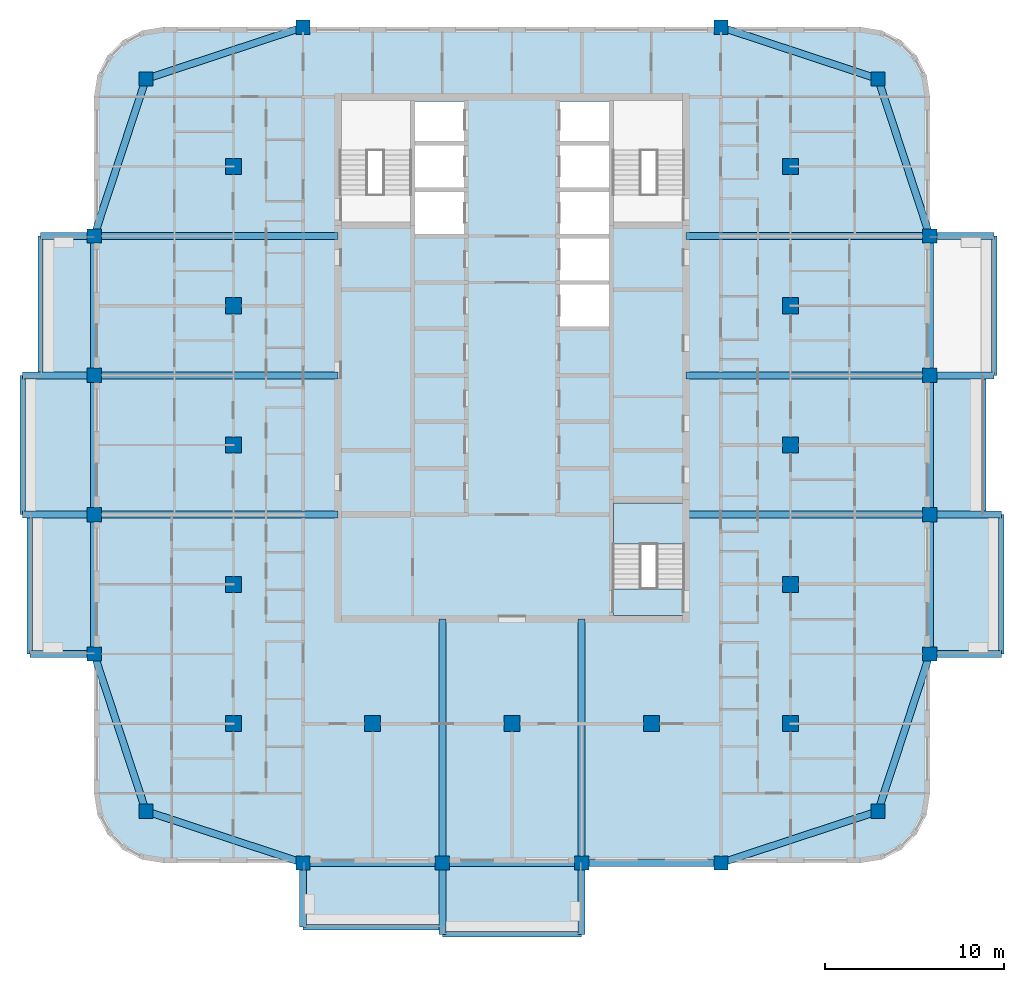
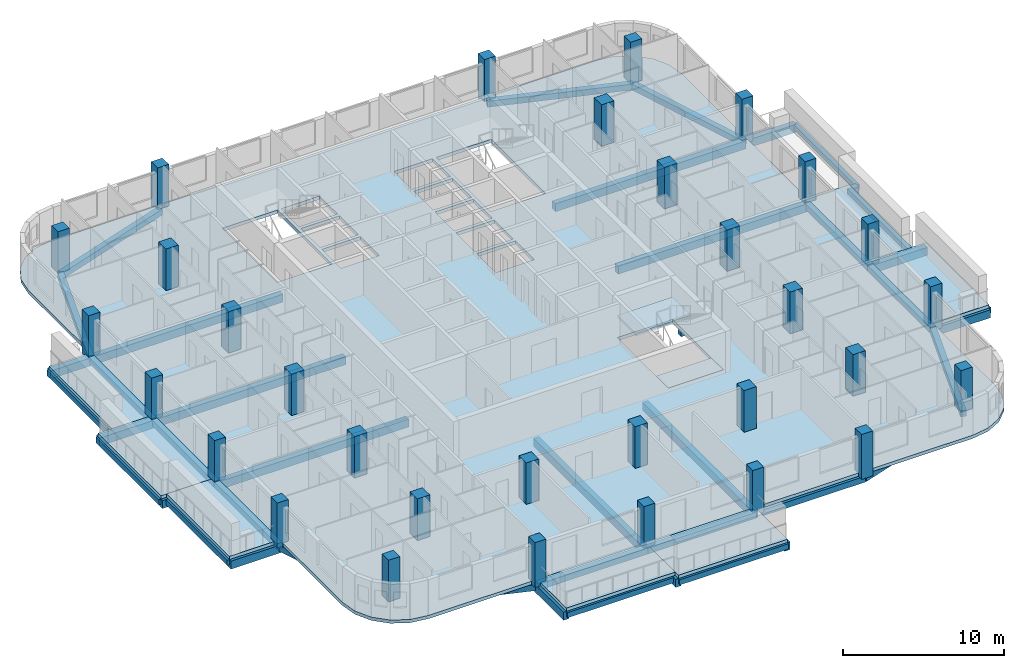
# One storey, part 1 of 16: 44 beams, 31 columns, 10 slabs, 1 element without a shape of its own.
"""IFC4 building model written with IfcOpenShell, lengths in metres."""

from ifc_helpers import new_model, si_unit, direction, frame, origin, origin_2d, place, context, subcontext, project, spatial, polyline, rectangle, outline, extrude, material, layer, layer_set, material_profile, profile_set, type_object, element, aggregate, save


model = new_model("IFC4")

# Units and contexts
model_context = context("Model", 3, precision=1e-05, world=origin(), true_north=direction((0.0, 1.0)))
body_context = subcontext(model_context, "Body", "Model", "MODEL_VIEW")
ifc_project = project(units=[si_unit("LENGTHUNIT", "METRE"), si_unit("AREAUNIT", "SQUARE_METRE"), si_unit("VOLUMEUNIT", "CUBIC_METRE"), si_unit("PLANEANGLEUNIT", "RADIAN"), si_unit("MASSUNIT", "GRAM", prefix="KILO")], contexts=[model_context])

# Site, building, storey
site_placement = place(None, origin())
site = spatial("IfcSite", under=ifc_project, at=site_placement, CompositionType="ELEMENT")
building_placement = place(site_placement, origin())
building = spatial("IfcBuilding", under=site, at=building_placement, Name="Ludao Terraces", CompositionType="ELEMENT")
storey_placement = place(building_placement, frame((0.0, 0.0, 217.699951171875)))
storey = spatial("IfcBuildingStorey", under=building, at=storey_placement, Name="L59", CompositionType="ELEMENT", Elevation=217.699951171875)

# Columns
ifc_material_1 = material(Name="Concrete C50", Category="concrete")
ifc_material_profile_1 = material_profile(ifc_material_1, rectangle(XDim=0.800048828125, YDim=0.800048828125, at=origin_2d()), Name="800 X 800")
ifc_profile_set_1 = profile_set([ifc_material_profile_1], Name="Concrete C50")
column_type_1 = type_object("IfcColumnType", Name="RC column 800x800 C50", PredefinedType="COLUMN", material=ifc_profile_set_1)
for number, where, z_axis, x_axis, name in (
    (1, (64.5, 44.5, -0.25), (0.0, 0.0, 1.0), (1.0, 0.0, 0.0), "Column L59 C0029x0029"),
    (2, (105.5, 44.5, -0.25), (0.0, 0.0, 1.0), (1.0, 0.0, 0.0), "Column L59 C0439x0029"),
    (3, (64.5, 85.5, -0.25), (0.0, 0.0, 1.0), (1.0, 0.0, 0.0), "Column L59 C0029x0439"),
    (4, (105.5, 85.5, -0.25), (0.0, 0.0, 1.0), (1.0, 0.0, 0.0), "Column L59 C0439x0439"),
    (5, (61.60009765625, 53.300048828125, -0.25), (0.0, 0.0, 1.0), (1.0, 0.0, 0.0), "Column L59 F0000x0117"),
    (6, (108.39990234375, 53.300048828125, -0.25), (0.0, 0.0, 1.0), (1.0, 0.0, 0.0), "Column L59 F0468x0117"),
    (7, (73.300048828125, 41.60009765625, -0.25), (0.0, 0.0, 1.0), (1.0, 0.0, 0.0), "Column L59 F0117x0000"),
    (8, (73.300048828125, 88.39990234375, -0.25), (0.0, 0.0, 1.0), (1.0, 0.0, 0.0), "Column L59 F0117x0468"),
    (9, (61.60009765625, 61.10009765625, -0.25), (0.0, 0.0, 1.0), (1.0, 0.0, 0.0), "Column L59 F0000x0195"),
    (10, (108.39990234375, 61.10009765625, -0.25), (0.0, 0.0, 1.0), (1.0, 0.0, 0.0), "Column L59 F0468x0195"),
    (11, (81.10009765625, 41.60009765625, -0.25), (0.0, 0.0, 1.0), (1.0, 0.0, 0.0), "Column L59 F0195x0000"),
    (12, (61.60009765625, 68.89990234375, -0.25), (0.0, 0.0, 1.0), (1.0, 0.0, 0.0), "Column L59 F0000x0273"),
    (13, (108.39990234375, 68.89990234375, -0.25), (0.0, 0.0, 1.0), (1.0, 0.0, 0.0), "Column L59 F0468x0273"),
    (14, (88.89990234375, 41.60009765625, -0.25), (0.0, 0.0, 1.0), (1.0, 0.0, 0.0), "Column L59 F0273x0000"),
    (15, (61.60009765625, 76.699951171875, -0.25), (0.0, 0.0, 1.0), (1.0, 0.0, 0.0), "Column L59 F0000x0351"),
    (16, (108.39990234375, 76.699951171875, -0.25), (0.0, 0.0, 1.0), (1.0, 0.0, 0.0), "Column L59 F0468x0351"),
    (17, (96.699951171875, 41.60009765625, -0.25), (0.0, 0.0, 1.0), (1.0, 0.0, 0.0), "Column L59 F0351x0000"),
    (18, (96.699951171875, 88.39990234375, -0.25), (0.0, 0.0, 1.0), (1.0, 0.0, 0.0), "Column L59 F0351x0468"),
):
    element("IfcColumn", number, at=place(storey_placement, frame(where, z_axis=z_axis, x_axis=x_axis)), inside=storey, type_object=column_type_1, Name=name, PredefinedType="COLUMN", context=body_context, shape_type="SweptSolid", body=[
        extrude(rectangle(XDim=0.800048828125, YDim=0.800048828125, at=origin_2d()), origin(), (0.0, 0.0, 1.0), 3.400146484375),
    ])
ifc_material_profile_2 = material_profile(ifc_material_1, rectangle(XDim=0.89990234375, YDim=0.89990234375, at=origin_2d()), Name="900 X 900")
ifc_profile_set_2 = profile_set([ifc_material_profile_2], Name="Concrete C50")
column_type_2 = type_object("IfcColumnType", Name="RC column 900x900 C50", PredefinedType="COLUMN", material=ifc_profile_set_2)
for number, where, z_axis, x_axis, name in (
    (19, (69.39990234375, 49.39990234375, -0.25), (0.0, 0.0, 1.0), (1.0, 0.0, 0.0), "Column L59 S0078x0078"),
    (20, (69.39990234375, 57.199951171875, -0.25), (0.0, 0.0, 1.0), (1.0, 0.0, 0.0), "Column L59 S0078x0156"),
    (21, (69.39990234375, 65.0, -0.25), (0.0, 0.0, 1.0), (1.0, 0.0, 0.0), "Column L59 S0078x0234"),
    (22, (69.39990234375, 72.800048828125, -0.25), (0.0, 0.0, 1.0), (1.0, 0.0, 0.0), "Column L59 S0078x0312"),
    (23, (69.39990234375, 80.60009765625, -0.25), (0.0, 0.0, 1.0), (1.0, 0.0, 0.0), "Column L59 S0078x0390"),
    (24, (77.199951171875, 49.39990234375, -0.25), (0.0, 0.0, 1.0), (1.0, 0.0, 0.0), "Column L59 S0156x0078"),
    (25, (85.0, 49.39990234375, -0.25), (0.0, 0.0, 1.0), (1.0, 0.0, 0.0), "Column L59 S0234x0078"),
    (26, (92.800048828125, 49.39990234375, -0.25), (0.0, 0.0, 1.0), (1.0, 0.0, 0.0), "Column L59 S0312x0078"),
    (27, (100.60009765625, 49.39990234375, -0.25), (0.0, 0.0, 1.0), (1.0, 0.0, 0.0), "Column L59 S0390x0078"),
    (28, (100.60009765625, 57.199951171875, -0.25), (0.0, 0.0, 1.0), (1.0, 0.0, 0.0), "Column L59 S0390x0156"),
    (29, (100.60009765625, 65.0, -0.25), (0.0, 0.0, 1.0), (1.0, 0.0, 0.0), "Column L59 S0390x0234"),
    (30, (100.60009765625, 72.800048828125, -0.25), (0.0, 0.0, 1.0), (1.0, 0.0, 0.0), "Column L59 S0390x0312"),
    (31, (100.60009765625, 80.60009765625, -0.25), (0.0, 0.0, 1.0), (1.0, 0.0, 0.0), "Column L59 S0390x0390"),
):
    element("IfcColumn", number, at=place(storey_placement, frame(where, z_axis=z_axis, x_axis=x_axis)), inside=storey, type_object=column_type_2, Name=name, PredefinedType="COLUMN", context=body_context, shape_type="SweptSolid", body=[
        extrude(rectangle(XDim=0.89990234375, YDim=0.89990234375, at=origin_2d()), origin(), (0.0, 0.0, 1.0), 3.400146484375),
    ])

# Beams
ifc_material_2 = material(Name="Concrete C40", Category="concrete")
ifc_material_profile_3 = material_profile(ifc_material_2, rectangle(XDim=0.300048828125, YDim=0.39990234375, at=origin_2d()), Name="300 X 400")
ifc_profile_set_3 = profile_set([ifc_material_profile_3], Name="Concrete C40")
beam_type_1 = type_object("IfcBeamType", Name="RC beam 300x400 C40", PredefinedType="BEAM", material=ifc_profile_set_3)
beam_1_placement = place(storey_placement, frame((73.300048828125, 38.0, -0.449951171875), z_axis=(1.0, 0.0, 0.0), x_axis=(0.0, 1.0, 0.0)))
element("IfcBeam", 32, at=beam_1_placement, inside=storey, type_object=beam_type_1, Name="Balcony edge beam L59 S1", PredefinedType="BEAM", context=body_context, shape_type="SweptSolid", body=[
    extrude(rectangle(XDim=0.300048828125, YDim=0.39990234375, at=origin_2d()), origin(), (0.0, 0.0, 1.0), 7.800048828125),
])
beam_2_placement = place(storey_placement, frame((81.10009765625, 37.60009765625, -0.449951171875), z_axis=(1.0, 0.0, 0.0), x_axis=(0.0, 1.0, 0.0)))
element("IfcBeam", 33, at=beam_2_placement, inside=storey, type_object=beam_type_1, Name="Balcony edge beam L59 S2", PredefinedType="BEAM", context=body_context, shape_type="SweptSolid", body=[
    extrude(rectangle(XDim=0.300048828125, YDim=0.39990234375, at=origin_2d()), origin(), (0.0, 0.0, 1.0), 7.7998046875),
])
beam_3_placement = place(storey_placement, frame((112.39990234375, 53.300048828125, -0.449951171875), z_axis=(0.0, 1.0, 0.0), x_axis=(-1.0, 0.0, 0.0)))
element("IfcBeam", 34, at=beam_3_placement, inside=storey, type_object=beam_type_1, Name="Balcony edge beam L59 E1", PredefinedType="BEAM", context=body_context, shape_type="SweptSolid", body=[
    extrude(rectangle(XDim=0.300048828125, YDim=0.39990234375, at=origin_2d()), origin(), (0.0, 0.0, 1.0), 7.800048828125),
])
beam_4_placement = place(storey_placement, frame((111.39990234375, 61.10009765625, -0.449951171875), z_axis=(0.0, 1.0, 0.0), x_axis=(-1.0, 0.0, 0.0)))
element("IfcBeam", 35, at=beam_4_placement, inside=storey, type_object=beam_type_1, Name="Balcony edge beam L59 E2", PredefinedType="BEAM", context=body_context, shape_type="SweptSolid", body=[
    extrude(rectangle(XDim=0.300048828125, YDim=0.39990234375, at=origin_2d()), origin(), (0.0, 0.0, 1.0), 7.7998046875),
])
for number, where, z_axis, x_axis, name in (
    (36, (112.0, 68.89990234375, -0.449951171875), (0.0, 1.0, 0.0), (-1.0, 0.0, 0.0), "Balcony edge beam L59 E3"),
    (37, (58.0, 53.300048828125, -0.449951171875), (0.0, 1.0, 0.0), (-1.0, 0.0, 0.0), "Balcony edge beam L59 W1"),
):
    element("IfcBeam", number, at=place(storey_placement, frame(where, z_axis=z_axis, x_axis=x_axis)), inside=storey, type_object=beam_type_1, Name=name, PredefinedType="BEAM", context=body_context, shape_type="SweptSolid", body=[
        extrude(rectangle(XDim=0.300048828125, YDim=0.39990234375, at=origin_2d()), origin(), (0.0, 0.0, 1.0), 7.800048828125),
    ])
beam_5_placement = place(storey_placement, frame((57.60009765625, 61.10009765625, -0.449951171875), z_axis=(0.0, 1.0, 0.0), x_axis=(-1.0, 0.0, 0.0)))
element("IfcBeam", 38, at=beam_5_placement, inside=storey, type_object=beam_type_1, Name="Balcony edge beam L59 W2", PredefinedType="BEAM", context=body_context, shape_type="SweptSolid", body=[
    extrude(rectangle(XDim=0.300048828125, YDim=0.39990234375, at=origin_2d()), origin(), (0.0, 0.0, 1.0), 7.7998046875),
])
beam_6_placement = place(storey_placement, frame((58.60009765625, 68.89990234375, -0.449951171875), z_axis=(0.0, 1.0, 0.0), x_axis=(-1.0, 0.0, 0.0)))
element("IfcBeam", 39, at=beam_6_placement, inside=storey, type_object=beam_type_1, Name="Balcony edge beam L59 W3", PredefinedType="BEAM", context=body_context, shape_type="SweptSolid", body=[
    extrude(rectangle(XDim=0.300048828125, YDim=0.39990234375, at=origin_2d()), origin(), (0.0, 0.0, 1.0), 7.800048828125),
])
ifc_material_profile_4 = material_profile(ifc_material_2, rectangle(XDim=0.39990234375, YDim=0.449951171875, at=origin_2d()), Name="400 X 450")
ifc_profile_set_4 = profile_set([ifc_material_profile_4], Name="Concrete C40")
beam_type_2 = type_object("IfcBeamType", Name="RC beam 400x450 C40", PredefinedType="BEAM", material=ifc_profile_set_4)
beam_7_placement = place(storey_placement, frame((64.5, 44.5, -0.474853515625), z_axis=(0.949760691408, -0.312977042379, 0.0), x_axis=(0.312977042379, 0.949760691408, 0.0)))
element("IfcBeam", 40, at=beam_7_placement, inside=storey, type_object=beam_type_2, Name="Spandrel beam L59 S1", PredefinedType="BEAM", context=body_context, shape_type="SweptSolid", body=[
    extrude(rectangle(XDim=0.39990234375, YDim=0.449951171875, at=origin_2d()), origin(), (0.0, 0.0, 1.0), 9.265625),
])
beam_8_placement = place(storey_placement, frame((73.300048828125, 41.60009765625, -0.474853515625), z_axis=(1.0, 0.0, 0.0), x_axis=(0.0, 1.0, 0.0)))
element("IfcBeam", 41, at=beam_8_placement, inside=storey, type_object=beam_type_2, Name="Spandrel beam L59 S2", PredefinedType="BEAM", context=body_context, shape_type="SweptSolid", body=[
    extrude(rectangle(XDim=0.39990234375, YDim=0.449951171875, at=origin_2d()), origin(), (0.0, 0.0, 1.0), 7.800048828125),
])
beam_9_placement = place(storey_placement, frame((81.10009765625, 41.60009765625, -0.474853515625), z_axis=(1.0, 0.0, 0.0), x_axis=(0.0, 1.0, 0.0)))
element("IfcBeam", 42, at=beam_9_placement, inside=storey, type_object=beam_type_2, Name="Spandrel beam L59 S3", PredefinedType="BEAM", context=body_context, shape_type="SweptSolid", body=[
    extrude(rectangle(XDim=0.39990234375, YDim=0.449951171875, at=origin_2d()), origin(), (0.0, 0.0, 1.0), 7.7998046875),
])
beam_10_placement = place(storey_placement, frame((88.89990234375, 41.60009765625, -0.474853515625), z_axis=(1.0, 0.0, 0.0), x_axis=(0.0, 1.0, 0.0)))
element("IfcBeam", 43, at=beam_10_placement, inside=storey, type_object=beam_type_2, Name="Spandrel beam L59 S4", PredefinedType="BEAM", context=body_context, shape_type="SweptSolid", body=[
    extrude(rectangle(XDim=0.39990234375, YDim=0.449951171875, at=origin_2d()), origin(), (0.0, 0.0, 1.0), 7.800048828125),
])
for number, where, z_axis, x_axis, name in (
    (44, (96.699951171875, 41.60009765625, -0.474853515625), (0.949760691408, 0.312977042379, 0.0), (-0.312977042379, 0.949760691408, 0.0), "Spandrel beam L59 S5"),
    (45, (64.5, 85.5, -0.474853515625), (0.949760691408, 0.312977042379, 0.0), (-0.312977042379, 0.949760691408, 0.0), "Spandrel beam L59 N6"),
    (46, (96.699951171875, 88.39990234375, -0.474853515625), (0.949760691408, -0.312977042379, 0.0), (0.312977042379, 0.949760691408, 0.0), "Spandrel beam L59 N7"),
    (47, (64.5, 44.5, -0.474853515625), (-0.312977042379, 0.949760691408, 0.0), (-0.949760691408, -0.312977042379, 0.0), "Spandrel beam L59 W8"),
):
    element("IfcBeam", number, at=place(storey_placement, frame(where, z_axis=z_axis, x_axis=x_axis)), inside=storey, type_object=beam_type_2, Name=name, PredefinedType="BEAM", context=body_context, shape_type="SweptSolid", body=[
        extrude(rectangle(XDim=0.39990234375, YDim=0.449951171875, at=origin_2d()), origin(), (0.0, 0.0, 1.0), 9.265625),
    ])
beam_11_placement = place(storey_placement, frame((61.60009765625, 53.300048828125, -0.474853515625), z_axis=(0.0, 1.0, 0.0), x_axis=(-1.0, 0.0, 0.0)))
element("IfcBeam", 48, at=beam_11_placement, inside=storey, type_object=beam_type_2, Name="Spandrel beam L59 W9", PredefinedType="BEAM", context=body_context, shape_type="SweptSolid", body=[
    extrude(rectangle(XDim=0.39990234375, YDim=0.449951171875, at=origin_2d()), origin(), (0.0, 0.0, 1.0), 7.800048828125),
])
beam_12_placement = place(storey_placement, frame((61.60009765625, 61.10009765625, -0.474853515625), z_axis=(0.0, 1.0, 0.0), x_axis=(-1.0, 0.0, 0.0)))
element("IfcBeam", 49, at=beam_12_placement, inside=storey, type_object=beam_type_2, Name="Spandrel beam L59 W10", PredefinedType="BEAM", context=body_context, shape_type="SweptSolid", body=[
    extrude(rectangle(XDim=0.39990234375, YDim=0.449951171875, at=origin_2d()), origin(), (0.0, 0.0, 1.0), 7.7998046875),
])
beam_13_placement = place(storey_placement, frame((61.60009765625, 68.89990234375, -0.474853515625), z_axis=(0.0, 1.0, 0.0), x_axis=(-1.0, 0.0, 0.0)))
element("IfcBeam", 50, at=beam_13_placement, inside=storey, type_object=beam_type_2, Name="Spandrel beam L59 W11", PredefinedType="BEAM", context=body_context, shape_type="SweptSolid", body=[
    extrude(rectangle(XDim=0.39990234375, YDim=0.449951171875, at=origin_2d()), origin(), (0.0, 0.0, 1.0), 7.800048828125),
])
for number, where, z_axis, x_axis, name in (
    (51, (61.60009765625, 76.699951171875, -0.474853515625), (0.312977042379, 0.949760691408, 0.0), (-0.949760691408, 0.312977042379, 0.0), "Spandrel beam L59 W12"),
    (52, (105.5, 44.5, -0.474853515625), (0.312977042379, 0.949760691408, 0.0), (-0.949760691408, 0.312977042379, 0.0), "Spandrel beam L59 E13"),
):
    element("IfcBeam", number, at=place(storey_placement, frame(where, z_axis=z_axis, x_axis=x_axis)), inside=storey, type_object=beam_type_2, Name=name, PredefinedType="BEAM", context=body_context, shape_type="SweptSolid", body=[
        extrude(rectangle(XDim=0.39990234375, YDim=0.449951171875, at=origin_2d()), origin(), (0.0, 0.0, 1.0), 9.265625),
    ])
beam_14_placement = place(storey_placement, frame((108.39990234375, 53.300048828125, -0.474853515625), z_axis=(0.0, 1.0, 0.0), x_axis=(-1.0, 0.0, 0.0)))
element("IfcBeam", 53, at=beam_14_placement, inside=storey, type_object=beam_type_2, Name="Spandrel beam L59 E14", PredefinedType="BEAM", context=body_context, shape_type="SweptSolid", body=[
    extrude(rectangle(XDim=0.39990234375, YDim=0.449951171875, at=origin_2d()), origin(), (0.0, 0.0, 1.0), 7.800048828125),
])
beam_15_placement = place(storey_placement, frame((108.39990234375, 61.10009765625, -0.474853515625), z_axis=(0.0, 1.0, 0.0), x_axis=(-1.0, 0.0, 0.0)))
element("IfcBeam", 54, at=beam_15_placement, inside=storey, type_object=beam_type_2, Name="Spandrel beam L59 E15", PredefinedType="BEAM", context=body_context, shape_type="SweptSolid", body=[
    extrude(rectangle(XDim=0.39990234375, YDim=0.449951171875, at=origin_2d()), origin(), (0.0, 0.0, 1.0), 7.7998046875),
])
beam_16_placement = place(storey_placement, frame((108.39990234375, 68.89990234375, -0.474853515625), z_axis=(0.0, 1.0, 0.0), x_axis=(-1.0, 0.0, 0.0)))
element("IfcBeam", 55, at=beam_16_placement, inside=storey, type_object=beam_type_2, Name="Spandrel beam L59 E16", PredefinedType="BEAM", context=body_context, shape_type="SweptSolid", body=[
    extrude(rectangle(XDim=0.39990234375, YDim=0.449951171875, at=origin_2d()), origin(), (0.0, 0.0, 1.0), 7.800048828125),
])
beam_17_placement = place(storey_placement, frame((108.39990234375, 76.699951171875, -0.474853515625), z_axis=(-0.312977042379, 0.949760691408, 0.0), x_axis=(-0.949760691408, -0.312977042379, 0.0)))
element("IfcBeam", 56, at=beam_17_placement, inside=storey, type_object=beam_type_2, Name="Spandrel beam L59 E17", PredefinedType="BEAM", context=body_context, shape_type="SweptSolid", body=[
    extrude(rectangle(XDim=0.39990234375, YDim=0.449951171875, at=origin_2d()), origin(), (0.0, 0.0, 1.0), 9.265625),
])
ifc_material_profile_5 = material_profile(ifc_material_2, rectangle(XDim=0.39990234375, YDim=0.60009765625, at=origin_2d()), Name="400 X 600")
ifc_profile_set_5 = profile_set([ifc_material_profile_5], Name="Concrete C40")
beam_type_3 = type_object("IfcBeamType", Name="RC beam 400x600 C40", PredefinedType="BEAM", material=ifc_profile_set_5)
beam_18_placement = place(storey_placement, frame((108.39990234375, 53.300048828125, -0.550048828125), z_axis=(1.0, 0.0, 0.0), x_axis=(0.0, 1.0, 0.0)))
element("IfcBeam", 57, at=beam_18_placement, inside=storey, type_object=beam_type_3, Name="Balcony beam L59 E533", PredefinedType="BEAM", context=body_context, shape_type="SweptSolid", body=[
    extrude(rectangle(XDim=0.39990234375, YDim=0.60009765625, at=origin_2d()), origin(), (0.0, 0.0, 1.0), 4.0),
])
beam_19_placement = place(storey_placement, frame((94.75, 61.10009765625, -0.550048828125), z_axis=(1.0, 0.0, 0.0), x_axis=(0.0, 1.0, 0.0)))
element("IfcBeam", 58, at=beam_19_placement, inside=storey, type_object=beam_type_3, Name="Balcony beam L59 E611", PredefinedType="BEAM", context=body_context, shape_type="SweptSolid", body=[
    extrude(rectangle(XDim=0.39990234375, YDim=0.60009765625, at=origin_2d()), origin(), (0.0, 0.0, 1.0), 13.64990234375),
])
beam_20_placement = place(storey_placement, frame((108.39990234375, 61.10009765625, -0.550048828125), z_axis=(1.0, 0.0, 0.0), x_axis=(0.0, 1.0, 0.0)))
element("IfcBeam", 59, at=beam_20_placement, inside=storey, type_object=beam_type_3, Name="Balcony beam L59 E611", PredefinedType="BEAM", context=body_context, shape_type="SweptSolid", body=[
    extrude(rectangle(XDim=0.39990234375, YDim=0.60009765625, at=origin_2d()), origin(), (0.0, 0.0, 1.0), 4.0),
])
beam_21_placement = place(storey_placement, frame((94.75, 68.89990234375, -0.550048828125), z_axis=(1.0, 0.0, 0.0), x_axis=(0.0, 1.0, 0.0)))
element("IfcBeam", 60, at=beam_21_placement, inside=storey, type_object=beam_type_3, Name="Balcony beam L59 E689", PredefinedType="BEAM", context=body_context, shape_type="SweptSolid", body=[
    extrude(rectangle(XDim=0.39990234375, YDim=0.60009765625, at=origin_2d()), origin(), (0.0, 0.0, 1.0), 13.64990234375),
])
beam_22_placement = place(storey_placement, frame((108.39990234375, 68.89990234375, -0.550048828125), z_axis=(1.0, 0.0, 0.0), x_axis=(0.0, 1.0, 0.0)))
element("IfcBeam", 61, at=beam_22_placement, inside=storey, type_object=beam_type_3, Name="Balcony beam L59 E689", PredefinedType="BEAM", context=body_context, shape_type="SweptSolid", body=[
    extrude(rectangle(XDim=0.39990234375, YDim=0.60009765625, at=origin_2d()), origin(), (0.0, 0.0, 1.0), 3.60009765625),
])
beam_23_placement = place(storey_placement, frame((94.75, 76.699951171875, -0.550048828125), z_axis=(1.0, 0.0, 0.0), x_axis=(0.0, 1.0, 0.0)))
element("IfcBeam", 62, at=beam_23_placement, inside=storey, type_object=beam_type_3, Name="Balcony beam L59 E767", PredefinedType="BEAM", context=body_context, shape_type="SweptSolid", body=[
    extrude(rectangle(XDim=0.39990234375, YDim=0.60009765625, at=origin_2d()), origin(), (0.0, 0.0, 1.0), 13.64990234375),
])
for number, where, z_axis, x_axis, name in (
    (63, (108.39990234375, 76.699951171875, -0.550048828125), (1.0, 0.0, 0.0), (0.0, 1.0, 0.0), "Balcony beam L59 E767"),
    (64, (73.300048828125, 41.60009765625, -0.550048828125), (0.0, -1.0, 0.0), (1.0, 0.0, 0.0), "Balcony beam L59 S733"),
):
    element("IfcBeam", number, at=place(storey_placement, frame(where, z_axis=z_axis, x_axis=x_axis)), inside=storey, type_object=beam_type_3, Name=name, PredefinedType="BEAM", context=body_context, shape_type="SweptSolid", body=[
        extrude(rectangle(XDim=0.39990234375, YDim=0.60009765625, at=origin_2d()), origin(), (0.0, 0.0, 1.0), 3.60009765625),
    ])
beam_24_placement = place(storey_placement, frame((81.10009765625, 55.25, -0.550048828125), z_axis=(0.0, -1.0, 0.0), x_axis=(1.0, 0.0, 0.0)))
element("IfcBeam", 65, at=beam_24_placement, inside=storey, type_object=beam_type_3, Name="Balcony beam L59 S811", PredefinedType="BEAM", context=body_context, shape_type="SweptSolid", body=[
    extrude(rectangle(XDim=0.39990234375, YDim=0.60009765625, at=origin_2d()), origin(), (0.0, 0.0, 1.0), 13.64990234375),
])
beam_25_placement = place(storey_placement, frame((81.10009765625, 41.60009765625, -0.550048828125), z_axis=(0.0, -1.0, 0.0), x_axis=(1.0, 0.0, 0.0)))
element("IfcBeam", 66, at=beam_25_placement, inside=storey, type_object=beam_type_3, Name="Balcony beam L59 S811", PredefinedType="BEAM", context=body_context, shape_type="SweptSolid", body=[
    extrude(rectangle(XDim=0.39990234375, YDim=0.60009765625, at=origin_2d()), origin(), (0.0, 0.0, 1.0), 4.0),
])
beam_26_placement = place(storey_placement, frame((88.89990234375, 55.25, -0.550048828125), z_axis=(0.0, -1.0, 0.0), x_axis=(1.0, 0.0, 0.0)))
element("IfcBeam", 67, at=beam_26_placement, inside=storey, type_object=beam_type_3, Name="Balcony beam L59 S889", PredefinedType="BEAM", context=body_context, shape_type="SweptSolid", body=[
    extrude(rectangle(XDim=0.39990234375, YDim=0.60009765625, at=origin_2d()), origin(), (0.0, 0.0, 1.0), 13.64990234375),
])
beam_27_placement = place(storey_placement, frame((88.89990234375, 41.60009765625, -0.550048828125), z_axis=(0.0, -1.0, 0.0), x_axis=(1.0, 0.0, 0.0)))
element("IfcBeam", 68, at=beam_27_placement, inside=storey, type_object=beam_type_3, Name="Balcony beam L59 S889", PredefinedType="BEAM", context=body_context, shape_type="SweptSolid", body=[
    extrude(rectangle(XDim=0.39990234375, YDim=0.60009765625, at=origin_2d()), origin(), (0.0, 0.0, 1.0), 4.0),
])
beam_28_placement = place(storey_placement, frame((61.60009765625, 53.300048828125, -0.550048828125), z_axis=(-1.0, 0.0, 0.0), x_axis=(0.0, -1.0, 0.0)))
element("IfcBeam", 69, at=beam_28_placement, inside=storey, type_object=beam_type_3, Name="Balcony beam L59 W533", PredefinedType="BEAM", context=body_context, shape_type="SweptSolid", body=[
    extrude(rectangle(XDim=0.39990234375, YDim=0.60009765625, at=origin_2d()), origin(), (0.0, 0.0, 1.0), 3.60009765625),
])
beam_29_placement = place(storey_placement, frame((75.25, 61.10009765625, -0.550048828125), z_axis=(-1.0, 0.0, 0.0), x_axis=(0.0, -1.0, 0.0)))
element("IfcBeam", 70, at=beam_29_placement, inside=storey, type_object=beam_type_3, Name="Balcony beam L59 W611", PredefinedType="BEAM", context=body_context, shape_type="SweptSolid", body=[
    extrude(rectangle(XDim=0.39990234375, YDim=0.60009765625, at=origin_2d()), origin(), (0.0, 0.0, 1.0), 13.64990234375),
])
beam_30_placement = place(storey_placement, frame((61.60009765625, 61.10009765625, -0.550048828125), z_axis=(-1.0, 0.0, 0.0), x_axis=(0.0, -1.0, 0.0)))
element("IfcBeam", 71, at=beam_30_placement, inside=storey, type_object=beam_type_3, Name="Balcony beam L59 W611", PredefinedType="BEAM", context=body_context, shape_type="SweptSolid", body=[
    extrude(rectangle(XDim=0.39990234375, YDim=0.60009765625, at=origin_2d()), origin(), (0.0, 0.0, 1.0), 4.0),
])
beam_31_placement = place(storey_placement, frame((75.25, 68.89990234375, -0.550048828125), z_axis=(-1.0, 0.0, 0.0), x_axis=(0.0, -1.0, 0.0)))
element("IfcBeam", 72, at=beam_31_placement, inside=storey, type_object=beam_type_3, Name="Balcony beam L59 W689", PredefinedType="BEAM", context=body_context, shape_type="SweptSolid", body=[
    extrude(rectangle(XDim=0.39990234375, YDim=0.60009765625, at=origin_2d()), origin(), (0.0, 0.0, 1.0), 13.64990234375),
])
beam_32_placement = place(storey_placement, frame((61.60009765625, 68.89990234375, -0.550048828125), z_axis=(-1.0, 0.0, 0.0), x_axis=(0.0, -1.0, 0.0)))
element("IfcBeam", 73, at=beam_32_placement, inside=storey, type_object=beam_type_3, Name="Balcony beam L59 W689", PredefinedType="BEAM", context=body_context, shape_type="SweptSolid", body=[
    extrude(rectangle(XDim=0.39990234375, YDim=0.60009765625, at=origin_2d()), origin(), (0.0, 0.0, 1.0), 4.0),
])
beam_33_placement = place(storey_placement, frame((75.25, 76.699951171875, -0.550048828125), z_axis=(-1.0, 0.0, 0.0), x_axis=(0.0, -1.0, 0.0)))
element("IfcBeam", 74, at=beam_33_placement, inside=storey, type_object=beam_type_3, Name="Balcony beam L59 W767", PredefinedType="BEAM", context=body_context, shape_type="SweptSolid", body=[
    extrude(rectangle(XDim=0.39990234375, YDim=0.60009765625, at=origin_2d()), origin(), (0.0, 0.0, 1.0), 13.64990234375),
])
beam_34_placement = place(storey_placement, frame((61.60009765625, 76.699951171875, -0.550048828125), z_axis=(-1.0, 0.0, 0.0), x_axis=(0.0, -1.0, 0.0)))
element("IfcBeam", 75, at=beam_34_placement, inside=storey, type_object=beam_type_3, Name="Balcony beam L59 W767", PredefinedType="BEAM", context=body_context, shape_type="SweptSolid", body=[
    extrude(rectangle(XDim=0.39990234375, YDim=0.60009765625, at=origin_2d()), origin(), (0.0, 0.0, 1.0), 3.0),
])

# Slabs
ifc_layer_1 = layer(ifc_material_2, 0.25)
ifc_layer_set_1 = layer_set([ifc_layer_1], Name="Balcony slab 250 C40")
slab_type_1 = type_object("IfcSlabType", Name="Balcony slab 250 C40", PredefinedType="USERDEFINED", material=ifc_layer_set_1)
slab_1_placement = place(storey_placement, frame((0.0, 0.0, -0.25)))
element("IfcSlab", 76, at=slab_1_placement, inside=storey, type_object=slab_type_1, Name="Balcony L59 S1", ObjectType="BALCONY", PredefinedType="USERDEFINED", context=body_context, shape_type="SweptSolid", body=[
    extrude(outline(polyline([(73.300048828125, 38.0), (81.10009765625, 38.0), (81.10009765625, 41.60009765625), (73.300048828125, 41.60009765625), (73.300048828125, 38.0)])), origin(), (0.0, 0.0, 1.0), 0.25),
])
slab_2_placement = place(storey_placement, frame((0.0, 0.0, -0.25)))
element("IfcSlab", 77, at=slab_2_placement, inside=storey, type_object=slab_type_1, Name="Balcony L59 S2", ObjectType="BALCONY", PredefinedType="USERDEFINED", context=body_context, shape_type="SweptSolid", body=[
    extrude(outline(polyline([(81.10009765625, 37.60009765625), (88.89990234375, 37.60009765625), (88.89990234375, 41.60009765625), (81.10009765625, 41.60009765625), (81.10009765625, 37.60009765625)])), origin(), (0.0, 0.0, 1.0), 0.25),
])
slab_3_placement = place(storey_placement, frame((0.0, 0.0, -0.25)))
element("IfcSlab", 78, at=slab_3_placement, inside=storey, type_object=slab_type_1, Name="Balcony L59 E1", ObjectType="BALCONY", PredefinedType="USERDEFINED", context=body_context, shape_type="SweptSolid", body=[
    extrude(outline(polyline([(108.39990234375, 53.300048828125), (112.39990234375, 53.300048828125), (112.39990234375, 61.10009765625), (108.39990234375, 61.10009765625), (108.39990234375, 53.300048828125)])), origin(), (0.0, 0.0, 1.0), 0.25),
])
slab_4_placement = place(storey_placement, frame((0.0, 0.0, -0.25)))
element("IfcSlab", 79, at=slab_4_placement, inside=storey, type_object=slab_type_1, Name="Balcony L59 E2", ObjectType="BALCONY", PredefinedType="USERDEFINED", context=body_context, shape_type="SweptSolid", body=[
    extrude(outline(polyline([(108.39990234375, 61.10009765625), (111.39990234375, 61.10009765625), (111.39990234375, 68.89990234375), (108.39990234375, 68.89990234375), (108.39990234375, 61.10009765625)])), origin(), (0.0, 0.0, 1.0), 0.25),
])
slab_5_placement = place(storey_placement, frame((0.0, 0.0, -0.25)))
element("IfcSlab", 80, at=slab_5_placement, inside=storey, type_object=slab_type_1, Name="Balcony L59 W1", ObjectType="BALCONY", PredefinedType="USERDEFINED", context=body_context, shape_type="SweptSolid", body=[
    extrude(outline(polyline([(58.0, 53.300048828125), (61.60009765625, 53.300048828125), (61.60009765625, 61.10009765625), (58.0, 61.10009765625), (58.0, 53.300048828125)])), origin(), (0.0, 0.0, 1.0), 0.25),
])
slab_6_placement = place(storey_placement, frame((0.0, 0.0, -0.25)))
element("IfcSlab", 81, at=slab_6_placement, inside=storey, type_object=slab_type_1, Name="Balcony L59 W2", ObjectType="BALCONY", PredefinedType="USERDEFINED", context=body_context, shape_type="SweptSolid", body=[
    extrude(outline(polyline([(57.60009765625, 61.10009765625), (61.60009765625, 61.10009765625), (61.60009765625, 68.89990234375), (57.60009765625, 68.89990234375), (57.60009765625, 61.10009765625)])), origin(), (0.0, 0.0, 1.0), 0.25),
])
slab_7_placement = place(storey_placement, frame((0.0, 0.0, -0.25)))
element("IfcSlab", 82, at=slab_7_placement, inside=storey, type_object=slab_type_1, Name="Balcony L59 W3", ObjectType="BALCONY", PredefinedType="USERDEFINED", context=body_context, shape_type="SweptSolid", body=[
    extrude(outline(polyline([(58.60009765625, 68.89990234375), (61.60009765625, 68.89990234375), (61.60009765625, 76.699951171875), (58.60009765625, 76.699951171875), (58.60009765625, 68.89990234375)])), origin(), (0.0, 0.0, 1.0), 0.25),
])
ifc_layer_2 = layer(ifc_material_2, 0.25)
ifc_layer_set_2 = layer_set([ifc_layer_2], Name="Floor slab 250 C40")
slab_type_2 = type_object("IfcSlabType", Name="Floor slab 250 C40", PredefinedType="FLOOR", material=ifc_layer_set_2)
slab_8_placement = place(storey_placement, frame((0.0, 0.0, -0.25)))
element("IfcSlab", 83, at=slab_8_placement, inside=storey, type_object=slab_type_2, Name="Slab L59", PredefinedType="FLOOR", context=body_context, shape_type="SweptSolid", body=[
    extrude(outline(polyline([(104.5, 41.60009765625), (105.705078125, 41.790771484375), (106.79248046875, 42.3447265625), (107.6552734375, 43.20751953125), (108.209228515625, 44.294921875), (108.39990234375, 45.5), (108.39990234375, 84.5), (108.209228515625, 85.705078125), (107.6552734375, 86.79248046875), (106.79248046875, 87.6552734375), (105.705078125, 88.209228515625), (104.5, 88.39990234375), (65.5, 88.39990234375), (64.294921875, 88.209228515625), (63.20751953125, 87.6552734375), (62.3447265625, 86.79248046875), (61.790771484375, 85.705078125), (61.60009765625, 84.5), (61.60009765625, 45.5), (61.790771484375, 44.294921875), (62.3447265625, 43.20751953125), (63.20751953125, 42.3447265625), (64.294921875, 41.790771484375), (65.5, 41.60009765625), (104.5, 41.60009765625)]), holes=[polyline([(79.574951171875, 76.824951171875), (82.324951171875, 76.824951171875), (82.324951171875, 79.175048828125), (79.574951171875, 79.175048828125), (79.574951171875, 76.824951171875)]), polyline([(79.574951171875, 79.425048828125), (82.324951171875, 79.425048828125), (82.324951171875, 81.77490234375), (79.574951171875, 81.77490234375), (79.574951171875, 79.425048828125)]), polyline([(79.574951171875, 82.02490234375), (82.324951171875, 82.02490234375), (82.324951171875, 84.239990234375), (79.574951171875, 84.239990234375), (79.574951171875, 82.02490234375)]), polyline([(87.675048828125, 71.625), (90.425048828125, 71.625), (90.425048828125, 73.97509765625), (87.675048828125, 73.97509765625), (87.675048828125, 71.625)]), polyline([(87.675048828125, 74.22509765625), (90.425048828125, 74.22509765625), (90.425048828125, 76.574951171875), (87.675048828125, 76.574951171875), (87.675048828125, 74.22509765625)]), polyline([(87.675048828125, 76.824951171875), (90.425048828125, 76.824951171875), (90.425048828125, 79.175048828125), (87.675048828125, 79.175048828125), (87.675048828125, 76.824951171875)]), polyline([(87.675048828125, 79.425048828125), (90.425048828125, 79.425048828125), (90.425048828125, 81.77490234375), (87.675048828125, 81.77490234375), (87.675048828125, 79.425048828125)]), polyline([(87.675048828125, 82.02490234375), (90.425048828125, 82.02490234375), (90.425048828125, 84.239990234375), (87.675048828125, 84.239990234375), (87.675048828125, 82.02490234375)]), polyline([(75.375, 77.5), (79.324951171875, 77.5), (79.324951171875, 84.239990234375), (75.375, 84.239990234375), (75.375, 77.5)]), polyline([(90.675048828125, 77.5), (94.625, 77.5), (94.625, 84.239990234375), (90.675048828125, 84.239990234375), (90.675048828125, 77.5)]), polyline([(90.675048828125, 55.449951171875), (94.625, 55.449951171875), (94.625, 61.75), (90.675048828125, 61.75), (90.675048828125, 55.449951171875)])]), origin(), (0.0, 0.0, 1.0), 0.25),
])

# Stair, slabs
stair_type = type_object("IfcStairType", Name="INT Stair", PredefinedType="HALF_TURN_STAIR", material=ifc_material_2)
stair_placement = place(storey_placement, origin())
stair = element("IfcStair", 84, at=stair_placement, inside=storey, type_object=stair_type, Name="EXIT STAIR 3", PredefinedType="HALF_TURN_STAIR")
ifc_layer_3 = layer(ifc_material_2, 0.199951171875)
ifc_layer_set_3 = layer_set([ifc_layer_3], Name="INT Stair landing 200")
slab_type_3 = type_object("IfcSlabType", Name="INT Stair landing 200", PredefinedType="LANDING", material=ifc_layer_set_3)
slab_9_placement = place(storey_placement, frame((0.0, 0.0, 1.5)))
slab_9 = element("IfcSlab", 85, at=slab_9_placement, type_object=slab_type_3, Name="ST3 landing 1", PredefinedType="LANDING", context=body_context, shape_type="SweptSolid", body=[
    extrude(outline(polyline([(90.675048828125, 59.469970703125), (94.625, 59.469970703125), (94.625, 61.75), (90.675048828125, 61.75), (90.675048828125, 59.469970703125)])), origin(), (0.0, 0.0, 1.0), 0.199951171875),
])
slab_10_placement = place(storey_placement, frame((0.0, 0.0, -0.199951171875)))
slab_10 = element("IfcSlab", 86, at=slab_10_placement, type_object=slab_type_3, Name="ST3 landing 2", PredefinedType="LANDING", context=body_context, shape_type="SweptSolid", body=[
    extrude(outline(polyline([(90.675048828125, 55.449951171875), (94.625, 55.449951171875), (94.625, 56.949951171875), (90.675048828125, 56.949951171875), (90.675048828125, 55.449951171875)])), origin(), (0.0, 0.0, 1.0), 0.199951171875),
])
aggregate(stair, [slab_9, slab_10])

save(model, "model.ifc")
